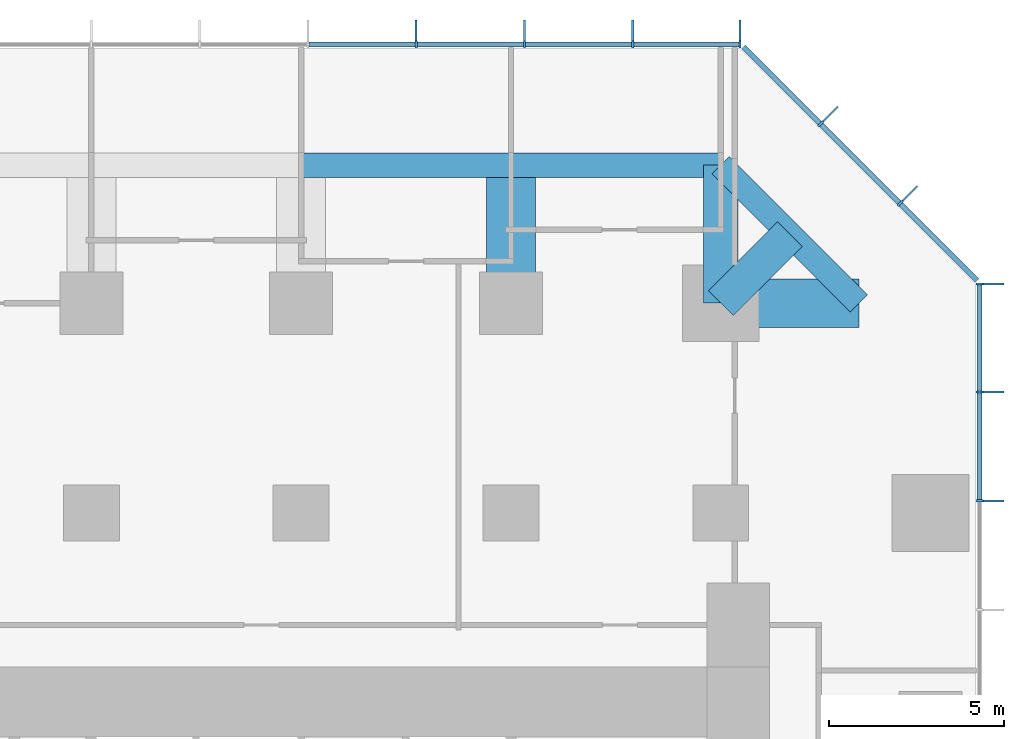
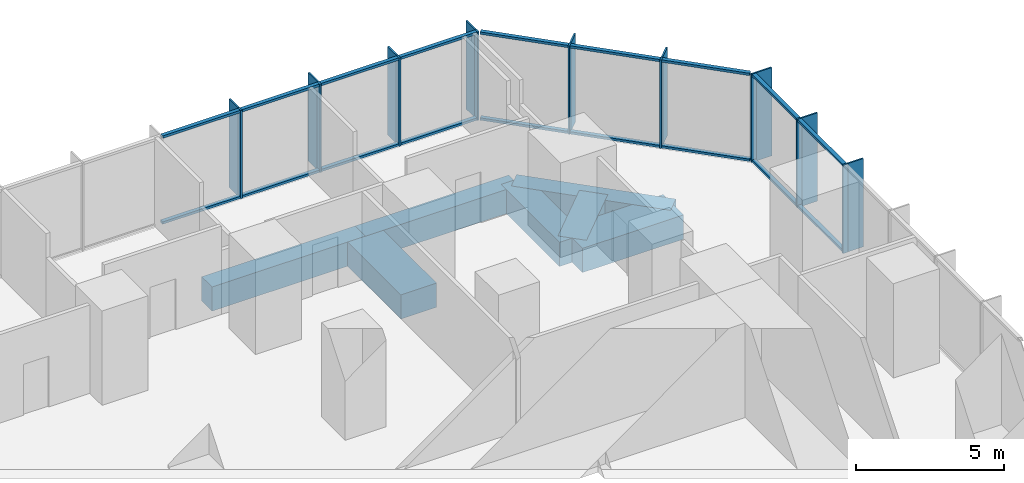
# One storey, part 6 of 11: 36 members, 7 beams, 3 elements without a shape of their own.
"""IFC4 building model written with IfcOpenShell, lengths in metres."""

from ifc_helpers import new_model, si_unit, direction, frame, origin, origin_2d, place, context, subcontext, project, spatial, rectangle, extrude, material, layer, layer_set, material_profile, profile_set, type_object, element, aggregate, save


model = new_model("IFC4")

# Units and contexts
model_context = context("Model", 3, precision=1e-05, world=origin(), true_north=direction((0.0, 1.0)))
body_context = subcontext(model_context, "Body", "Model", "MODEL_VIEW")
ifc_project = project(units=[si_unit("LENGTHUNIT", "METRE"), si_unit("AREAUNIT", "SQUARE_METRE"), si_unit("VOLUMEUNIT", "CUBIC_METRE"), si_unit("PLANEANGLEUNIT", "RADIAN"), si_unit("MASSUNIT", "GRAM", prefix="KILO")], contexts=[model_context])

# Site, building, storey
site_placement = place(None, origin())
site = spatial("IfcSite", under=ifc_project, at=site_placement, CompositionType="ELEMENT")
building_placement = place(site_placement, origin())
building = spatial("IfcBuilding", under=site, at=building_placement, Name="Highveld Stack Headquarters", CompositionType="ELEMENT")
storey_placement = place(building_placement, frame((0.0, 0.0, 93.800048828125)))
storey = spatial("IfcBuildingStorey", under=building, at=storey_placement, Name="L22", CompositionType="ELEMENT", Elevation=93.800048828125)

# Beams
ifc_material_1 = material(Name="Concrete C60/75", Category="concrete")
ifc_material_profile_1 = material_profile(ifc_material_1, rectangle(XDim=1.0, YDim=1.0, at=origin_2d()), Name="RC 1000x1000")
ifc_profile_set_1 = profile_set([ifc_material_profile_1], Name="Concrete C60/75")
beam_type_1 = type_object("IfcBeamType", Name="CANTILEVER RIB RC 1000x1000", PredefinedType="USERDEFINED", material=ifc_profile_set_1)
beam_1_placement = place(storey_placement, frame((18.0, 24.0, -0.75), z_axis=(0.0, 1.0, 0.0), x_axis=(-1.0, 0.0, 0.0)))
element("IfcBeam", 1, at=beam_1_placement, inside=storey, type_object=beam_type_1, Name="Cantilever rib 9/J L22", ObjectType="CANTILEVER RIB", PredefinedType="USERDEFINED", context=body_context, shape_type="SweptSolid", body=[
    extrude(rectangle(XDim=1.0, YDim=1.0, at=origin_2d()), origin(), (0.0, 0.0, 1.0), 3.949951171875),
])
beam_2_placement = place(storey_placement, frame((18.0, 24.0, -0.75), z_axis=(0.707106781187, 0.707106781187, 0.0), x_axis=(-0.707106781187, 0.707106781187, 0.0)))
element("IfcBeam", 2, at=beam_2_placement, inside=storey, type_object=beam_type_1, Name="Cantilever rib 9/J L22", ObjectType="CANTILEVER RIB", PredefinedType="USERDEFINED", context=body_context, shape_type="SweptSolid", body=[
    extrude(rectangle(XDim=1.0, YDim=1.0, at=origin_2d()), origin(), (0.0, 0.0, 1.0), 2.793212890625),
])
ifc_material_2 = material(Name="Concrete C60/75", Category="concrete")
ifc_material_profile_2 = material_profile(ifc_material_2, rectangle(XDim=1.39990234375, YDim=1.0, at=origin_2d()), Name="RC 1400x1000")
ifc_profile_set_2 = profile_set([ifc_material_profile_2], Name="Concrete C60/75")
beam_type_2 = type_object("IfcBeamType", Name="CANTILEVER RIB RC 1400x1000", PredefinedType="USERDEFINED", material=ifc_profile_set_2)
for number, where, z_axis, x_axis, name in (
    (3, (12.0, 24.0, -0.75), (0.0, 1.0, 0.0), (-1.0, 0.0, 0.0), "Cantilever rib 8/J L22"),
    (4, (18.0, 24.0, -0.75), (1.0, 0.0, 0.0), (0.0, 1.0, 0.0), "Cantilever rib 9/J L22"),
):
    element("IfcBeam", number, at=place(storey_placement, frame(where, z_axis=z_axis, x_axis=x_axis)), inside=storey, type_object=beam_type_2, Name=name, ObjectType="CANTILEVER RIB", PredefinedType="USERDEFINED", context=body_context, shape_type="SweptSolid", body=[
        extrude(rectangle(XDim=1.39990234375, YDim=1.0, at=origin_2d()), origin(), (0.0, 0.0, 1.0), 3.949951171875),
    ])

# Curtain wall, members
ifc_material_3 = material(Name="Aluminium bronze anodised", Category="aluminium")
ifc_layer = layer(ifc_material_3, 0.199951171875)
ifc_layer_set = layer_set([ifc_layer], Name="Aluminium bronze anodised")
curtain_wall_type = type_object("IfcCurtainWallType", Name="CW6 SKY LOBBY UNITISED CURTAIN WALL", PredefinedType="NOTDEFINED", material=ifc_layer_set)
curtain_wall_1_placement = place(storey_placement, origin())
curtain_wall_1 = element("IfcCurtainWall", 5, at=curtain_wall_1_placement, inside=storey, type_object=curtain_wall_type, Name="Curtain wall CW6 L22 E", PredefinedType="NOTDEFINED")
ifc_material_4 = material(Name="Aluminium bronze anodised", Category="aluminium")
ifc_material_profile_3 = material_profile(ifc_material_4, rectangle(XDim=0.60009765625, YDim=0.06005859375, at=origin_2d()), Name="FIN 600x60")
ifc_profile_set_3 = profile_set([ifc_material_profile_3], Name="Aluminium bronze anodised")
member_type_1 = type_object("IfcMemberType", Name="CW6 BRONZE FIN 600x60", PredefinedType="USERDEFINED", material=ifc_profile_set_3)
member_1_placement = place(storey_placement, frame((25.800048828125, 18.347900390625, 0.0), z_axis=(0.0, 0.0, 1.0), x_axis=(-1.0, 0.0, 0.0)))
member_1 = element("IfcMember", 6, at=member_1_placement, type_object=member_type_1, Name="CW6 fin L22 9", ObjectType="FIN", PredefinedType="USERDEFINED", context=body_context, shape_type="SweptSolid", body=[
    extrude(rectangle(XDim=0.60009765625, YDim=0.06005859375, at=origin_2d()), origin(), (0.0, 0.0, 1.0), 3.64990234375),
])
member_2_placement = place(storey_placement, frame((25.800048828125, 21.4638671875, 0.0), z_axis=(0.0, 0.0, 1.0), x_axis=(-1.0, 0.0, 0.0)))
member_2 = element("IfcMember", 7, at=member_2_placement, type_object=member_type_1, Name="CW6 fin L22 10", ObjectType="FIN", PredefinedType="USERDEFINED", context=body_context, shape_type="SweptSolid", body=[
    extrude(rectangle(XDim=0.60009765625, YDim=0.06005859375, at=origin_2d()), origin(), (0.0, 0.0, 1.0), 3.64990234375),
])
member_3_placement = place(storey_placement, frame((25.800048828125, 24.54736328125, 0.0), z_axis=(0.0, 0.0, 1.0), x_axis=(-1.0, 0.0, 0.0)))
member_3 = element("IfcMember", 8, at=member_3_placement, type_object=member_type_1, Name="CW6 fin L22 11", ObjectType="FIN", PredefinedType="USERDEFINED", context=body_context, shape_type="SweptSolid", body=[
    extrude(rectangle(XDim=0.60009765625, YDim=0.06005859375, at=origin_2d()), origin(), (0.0, 0.0, 1.0), 3.64990234375),
])

curtain_wall_2_placement = place(storey_placement, origin())
curtain_wall_2 = element("IfcCurtainWall", 9, at=curtain_wall_2_placement, inside=storey, type_object=curtain_wall_type, Name="Curtain wall CW6 L22 NE", PredefinedType="NOTDEFINED")
member_4_placement = place(storey_placement, frame((23.409423828125, 27.135986328125, 0.0), z_axis=(0.0, 0.0, 1.0), x_axis=(-0.707106781187, -0.707106781187, 0.0)))
member_4 = element("IfcMember", 10, at=member_4_placement, type_object=member_type_1, Name="CW6 fin L22 1", ObjectType="FIN", PredefinedType="USERDEFINED", context=body_context, shape_type="SweptSolid", body=[
    extrude(rectangle(XDim=0.60009765625, YDim=0.06005859375, at=origin_2d()), origin(), (0.0, 0.0, 1.0), 3.64990234375),
])
member_5_placement = place(storey_placement, frame((21.135986328125, 29.409423828125, 0.0), z_axis=(0.0, 0.0, 1.0), x_axis=(-0.707106781187, -0.707106781187, 0.0)))
member_5 = element("IfcMember", 11, at=member_5_placement, type_object=member_type_1, Name="CW6 fin L22 2", ObjectType="FIN", PredefinedType="USERDEFINED", context=body_context, shape_type="SweptSolid", body=[
    extrude(rectangle(XDim=0.60009765625, YDim=0.06005859375, at=origin_2d()), origin(), (0.0, 0.0, 1.0), 3.64990234375),
])

curtain_wall_3_placement = place(storey_placement, origin())
curtain_wall_3 = element("IfcCurtainWall", 12, at=curtain_wall_3_placement, inside=storey, type_object=curtain_wall_type, Name="Curtain wall CW6 L22 N", PredefinedType="NOTDEFINED")
member_6_placement = place(storey_placement, frame((18.54736328125, 31.800048828125, 0.0), z_axis=(0.0, 0.0, 1.0), x_axis=(0.0, -1.0, 0.0)))
member_6 = element("IfcMember", 13, at=member_6_placement, type_object=member_type_1, Name="CW6 fin L22 1", ObjectType="FIN", PredefinedType="USERDEFINED", context=body_context, shape_type="SweptSolid", body=[
    extrude(rectangle(XDim=0.60009765625, YDim=0.06005859375, at=origin_2d()), origin(), (0.0, 0.0, 1.0), 3.64990234375),
])
member_7_placement = place(storey_placement, frame((15.483154296875, 31.800048828125, 0.0), z_axis=(0.0, 0.0, 1.0), x_axis=(0.0, -1.0, 0.0)))
member_7 = element("IfcMember", 14, at=member_7_placement, type_object=member_type_1, Name="CW6 fin L22 2", ObjectType="FIN", PredefinedType="USERDEFINED", context=body_context, shape_type="SweptSolid", body=[
    extrude(rectangle(XDim=0.60009765625, YDim=0.06005859375, at=origin_2d()), origin(), (0.0, 0.0, 1.0), 3.64990234375),
])
member_8_placement = place(storey_placement, frame((12.38671875, 31.800048828125, 0.0), z_axis=(0.0, 0.0, 1.0), x_axis=(0.0, -1.0, 0.0)))
member_8 = element("IfcMember", 15, at=member_8_placement, type_object=member_type_1, Name="CW6 fin L22 3", ObjectType="FIN", PredefinedType="USERDEFINED", context=body_context, shape_type="SweptSolid", body=[
    extrude(rectangle(XDim=0.60009765625, YDim=0.06005859375, at=origin_2d()), origin(), (0.0, 0.0, 1.0), 3.64990234375),
])
member_9_placement = place(storey_placement, frame((9.289794921875, 31.800048828125, 0.0), z_axis=(0.0, 0.0, 1.0), x_axis=(0.0, -1.0, 0.0)))
member_9 = element("IfcMember", 16, at=member_9_placement, type_object=member_type_1, Name="CW6 fin L22 4", ObjectType="FIN", PredefinedType="USERDEFINED", context=body_context, shape_type="SweptSolid", body=[
    extrude(rectangle(XDim=0.60009765625, YDim=0.06005859375, at=origin_2d()), origin(), (0.0, 0.0, 1.0), 3.64990234375),
])

# Member
ifc_material_5 = material(Name="Aluminium bronze anodised", Category="aluminium")
ifc_material_profile_4 = material_profile(ifc_material_5, rectangle(XDim=0.199951171875, YDim=0.06494140625, at=origin_2d()), Name="CW6 MULLION 65x200")
ifc_profile_set_4 = profile_set([ifc_material_profile_4], Name="Aluminium bronze anodised")
member_type_2 = type_object("IfcMemberType", Name="CW6 MULLION 65x200", PredefinedType="MULLION", material=ifc_profile_set_4)
member_10_placement = place(storey_placement, frame((25.39990234375, 18.347900390625, 0.0), z_axis=(0.0, 0.0, 1.0), x_axis=(-1.0, 0.0, 0.0)))
member_10 = element("IfcMember", 17, at=member_10_placement, type_object=member_type_2, Name="CW6 mullion L22 9", PredefinedType="MULLION", context=body_context, shape_type="SweptSolid", body=[
    extrude(rectangle(XDim=0.199951171875, YDim=0.06494140625, at=origin_2d()), origin(), (0.0, 0.0, 1.0), 3.64990234375),
])

member_11_placement = place(storey_placement, frame((25.39990234375, 21.4638671875, 0.0), z_axis=(0.0, 0.0, 1.0), x_axis=(-1.0, 0.0, 0.0)))
member_11 = element("IfcMember", 18, at=member_11_placement, type_object=member_type_2, Name="CW6 mullion L22 10", PredefinedType="MULLION", context=body_context, shape_type="SweptSolid", body=[
    extrude(rectangle(XDim=0.199951171875, YDim=0.06494140625, at=origin_2d()), origin(), (0.0, 0.0, 1.0), 3.64990234375),
])

member_12_placement = place(storey_placement, frame((25.39990234375, 24.54736328125, 0.0), z_axis=(0.0, 0.0, 1.0), x_axis=(-1.0, 0.0, 0.0)))
member_12 = element("IfcMember", 19, at=member_12_placement, type_object=member_type_2, Name="CW6 mullion L22 11", PredefinedType="MULLION", context=body_context, shape_type="SweptSolid", body=[
    extrude(rectangle(XDim=0.199951171875, YDim=0.06494140625, at=origin_2d()), origin(), (0.0, 0.0, 1.0), 3.64990234375),
])

member_13_placement = place(storey_placement, frame((23.126708984375, 26.853271484375, 0.0), z_axis=(0.0, 0.0, 1.0), x_axis=(-0.707106781187, -0.707106781187, 0.0)))
member_13 = element("IfcMember", 20, at=member_13_placement, type_object=member_type_2, Name="CW6 mullion L22 1", PredefinedType="MULLION", context=body_context, shape_type="SweptSolid", body=[
    extrude(rectangle(XDim=0.199951171875, YDim=0.06494140625, at=origin_2d()), origin(), (0.0, 0.0, 1.0), 3.64990234375),
])

member_14_placement = place(storey_placement, frame((20.853271484375, 29.126708984375, 0.0), z_axis=(0.0, 0.0, 1.0), x_axis=(-0.707106781187, -0.707106781187, 0.0)))
member_14 = element("IfcMember", 21, at=member_14_placement, type_object=member_type_2, Name="CW6 mullion L22 2", PredefinedType="MULLION", context=body_context, shape_type="SweptSolid", body=[
    extrude(rectangle(XDim=0.199951171875, YDim=0.06494140625, at=origin_2d()), origin(), (0.0, 0.0, 1.0), 3.64990234375),
])

member_15_placement = place(storey_placement, frame((18.54736328125, 31.39990234375, 0.0), z_axis=(0.0, 0.0, 1.0), x_axis=(0.0, -1.0, 0.0)))
member_15 = element("IfcMember", 22, at=member_15_placement, type_object=member_type_2, Name="CW6 mullion L22 1", PredefinedType="MULLION", context=body_context, shape_type="SweptSolid", body=[
    extrude(rectangle(XDim=0.199951171875, YDim=0.06494140625, at=origin_2d()), origin(), (0.0, 0.0, 1.0), 3.64990234375),
])

member_16_placement = place(storey_placement, frame((15.483154296875, 31.39990234375, 0.0), z_axis=(0.0, 0.0, 1.0), x_axis=(0.0, -1.0, 0.0)))
member_16 = element("IfcMember", 23, at=member_16_placement, type_object=member_type_2, Name="CW6 mullion L22 2", PredefinedType="MULLION", context=body_context, shape_type="SweptSolid", body=[
    extrude(rectangle(XDim=0.199951171875, YDim=0.06494140625, at=origin_2d()), origin(), (0.0, 0.0, 1.0), 3.64990234375),
])

member_17_placement = place(storey_placement, frame((12.38671875, 31.39990234375, 0.0), z_axis=(0.0, 0.0, 1.0), x_axis=(0.0, -1.0, 0.0)))
member_17 = element("IfcMember", 24, at=member_17_placement, type_object=member_type_2, Name="CW6 mullion L22 3", PredefinedType="MULLION", context=body_context, shape_type="SweptSolid", body=[
    extrude(rectangle(XDim=0.199951171875, YDim=0.06494140625, at=origin_2d()), origin(), (0.0, 0.0, 1.0), 3.64990234375),
])

member_18_placement = place(storey_placement, frame((9.289794921875, 31.39990234375, 0.0), z_axis=(0.0, 0.0, 1.0), x_axis=(0.0, -1.0, 0.0)))
member_18 = element("IfcMember", 25, at=member_18_placement, type_object=member_type_2, Name="CW6 mullion L22 4", PredefinedType="MULLION", context=body_context, shape_type="SweptSolid", body=[
    extrude(rectangle(XDim=0.199951171875, YDim=0.06494140625, at=origin_2d()), origin(), (0.0, 0.0, 1.0), 3.64990234375),
])

ifc_material_6 = material(Name="Aluminium bronze anodised", Category="aluminium")
ifc_material_profile_5 = material_profile(ifc_material_6, rectangle(XDim=0.14990234375, YDim=0.10009765625, at=origin_2d()), Name="CW6 TRANSOM 150x100")
ifc_profile_set_5 = profile_set([ifc_material_profile_5], Name="Aluminium bronze anodised")
member_type_3 = type_object("IfcMemberType", Name="CW6 STACK TRANSOM 150x100", PredefinedType="USERDEFINED", material=ifc_profile_set_5)
member_19_placement = place(storey_placement, frame((25.39990234375, 18.38037109375, 0.050048828125), z_axis=(0.0, 1.0, 0.0), x_axis=(-1.0, 0.0, 0.0)))
member_19 = element("IfcMember", 26, at=member_19_placement, type_object=member_type_3, Name="CW6 transom L22 9.1", ObjectType="TRANSOM", PredefinedType="USERDEFINED", context=body_context, shape_type="SweptSolid", body=[
    extrude(rectangle(XDim=0.14990234375, YDim=0.10009765625, at=origin_2d()), origin(), (0.0, 0.0, 1.0), 3.051025390625),
])

member_20_placement = place(storey_placement, frame((25.39990234375, 18.38037109375, 3.599853515625), z_axis=(0.0, 1.0, 0.0), x_axis=(-1.0, 0.0, 0.0)))
member_20 = element("IfcMember", 27, at=member_20_placement, type_object=member_type_3, Name="CW6 transom L22 9.2", ObjectType="TRANSOM", PredefinedType="USERDEFINED", context=body_context, shape_type="SweptSolid", body=[
    extrude(rectangle(XDim=0.14990234375, YDim=0.10009765625, at=origin_2d()), origin(), (0.0, 0.0, 1.0), 3.051025390625),
])

member_21_placement = place(storey_placement, frame((25.39990234375, 21.496337890625, 0.050048828125), z_axis=(0.0, 1.0, 0.0), x_axis=(-1.0, 0.0, 0.0)))
member_21 = element("IfcMember", 28, at=member_21_placement, type_object=member_type_3, Name="CW6 transom L22 10.1", ObjectType="TRANSOM", PredefinedType="USERDEFINED", context=body_context, shape_type="SweptSolid", body=[
    extrude(rectangle(XDim=0.14990234375, YDim=0.10009765625, at=origin_2d()), origin(), (0.0, 0.0, 1.0), 3.0185546875),
])

member_22_placement = place(storey_placement, frame((25.39990234375, 21.496337890625, 3.599853515625), z_axis=(0.0, 1.0, 0.0), x_axis=(-1.0, 0.0, 0.0)))
member_22 = element("IfcMember", 29, at=member_22_placement, type_object=member_type_3, Name="CW6 transom L22 10.2", ObjectType="TRANSOM", PredefinedType="USERDEFINED", context=body_context, shape_type="SweptSolid", body=[
    extrude(rectangle(XDim=0.14990234375, YDim=0.10009765625, at=origin_2d()), origin(), (0.0, 0.0, 1.0), 3.0185546875),
])

aggregate(curtain_wall_1, [member_10, member_1, member_11, member_2, member_12, member_3, member_19, member_20, member_21, member_22])

member_23_placement = place(storey_placement, frame((25.329345703125, 24.650634765625, 0.050048828125), z_axis=(-0.707106781187, 0.707106781187, 0.0), x_axis=(-0.707106781187, -0.707106781187, 0.0)))
member_23 = element("IfcMember", 30, at=member_23_placement, type_object=member_type_3, Name="CW6 transom L22 1.1", ObjectType="TRANSOM", PredefinedType="USERDEFINED", context=body_context, shape_type="SweptSolid", body=[
    extrude(rectangle(XDim=0.14990234375, YDim=0.10009765625, at=origin_2d()), origin(), (0.0, 0.0, 1.0), 3.08251953125),
])

member_24_placement = place(storey_placement, frame((25.329345703125, 24.650634765625, 3.599853515625), z_axis=(-0.707106781187, 0.707106781187, 0.0), x_axis=(-0.707106781187, -0.707106781187, 0.0)))
member_24 = element("IfcMember", 31, at=member_24_placement, type_object=member_type_3, Name="CW6 transom L22 1.2", ObjectType="TRANSOM", PredefinedType="USERDEFINED", context=body_context, shape_type="SweptSolid", body=[
    extrude(rectangle(XDim=0.14990234375, YDim=0.10009765625, at=origin_2d()), origin(), (0.0, 0.0, 1.0), 3.08251953125),
])

member_25_placement = place(storey_placement, frame((23.103759765625, 26.876220703125, 0.050048828125), z_axis=(-0.707106781187, 0.707106781187, 0.0), x_axis=(-0.707106781187, -0.707106781187, 0.0)))
member_25 = element("IfcMember", 32, at=member_25_placement, type_object=member_type_3, Name="CW6 transom L22 2.1", ObjectType="TRANSOM", PredefinedType="USERDEFINED", context=body_context, shape_type="SweptSolid", body=[
    extrude(rectangle(XDim=0.14990234375, YDim=0.10009765625, at=origin_2d()), origin(), (0.0, 0.0, 1.0), 3.150146484375),
])

member_26_placement = place(storey_placement, frame((23.103759765625, 26.876220703125, 3.599853515625), z_axis=(-0.707106781187, 0.707106781187, 0.0), x_axis=(-0.707106781187, -0.707106781187, 0.0)))
member_26 = element("IfcMember", 33, at=member_26_placement, type_object=member_type_3, Name="CW6 transom L22 2.2", ObjectType="TRANSOM", PredefinedType="USERDEFINED", context=body_context, shape_type="SweptSolid", body=[
    extrude(rectangle(XDim=0.14990234375, YDim=0.10009765625, at=origin_2d()), origin(), (0.0, 0.0, 1.0), 3.150146484375),
])

member_27_placement = place(storey_placement, frame((20.830322265625, 29.149658203125, 0.050048828125), z_axis=(-0.707106781187, 0.707106781187, 0.0), x_axis=(-0.707106781187, -0.707106781187, 0.0)))
member_27 = element("IfcMember", 34, at=member_27_placement, type_object=member_type_3, Name="CW6 transom L22 3.1", ObjectType="TRANSOM", PredefinedType="USERDEFINED", context=body_context, shape_type="SweptSolid", body=[
    extrude(rectangle(XDim=0.14990234375, YDim=0.10009765625, at=origin_2d()), origin(), (0.0, 0.0, 1.0), 3.08251953125),
])

member_28_placement = place(storey_placement, frame((20.830322265625, 29.149658203125, 3.599853515625), z_axis=(-0.707106781187, 0.707106781187, 0.0), x_axis=(-0.707106781187, -0.707106781187, 0.0)))
member_28 = element("IfcMember", 35, at=member_28_placement, type_object=member_type_3, Name="CW6 transom L22 3.2", ObjectType="TRANSOM", PredefinedType="USERDEFINED", context=body_context, shape_type="SweptSolid", body=[
    extrude(rectangle(XDim=0.14990234375, YDim=0.10009765625, at=origin_2d()), origin(), (0.0, 0.0, 1.0), 3.08251953125),
])

aggregate(curtain_wall_2, [member_13, member_4, member_14, member_5, member_23, member_24, member_25, member_26, member_27, member_28])

member_29_placement = place(storey_placement, frame((18.514892578125, 31.39990234375, 0.050048828125), z_axis=(-1.0, 0.0, 0.0), x_axis=(0.0, -1.0, 0.0)))
member_29 = element("IfcMember", 36, at=member_29_placement, type_object=member_type_3, Name="CW6 transom L22 1.1", ObjectType="TRANSOM", PredefinedType="USERDEFINED", context=body_context, shape_type="SweptSolid", body=[
    extrude(rectangle(XDim=0.14990234375, YDim=0.10009765625, at=origin_2d()), origin(), (0.0, 0.0, 1.0), 2.999267578125),
])

member_30_placement = place(storey_placement, frame((18.514892578125, 31.39990234375, 3.599853515625), z_axis=(-1.0, 0.0, 0.0), x_axis=(0.0, -1.0, 0.0)))
member_30 = element("IfcMember", 37, at=member_30_placement, type_object=member_type_3, Name="CW6 transom L22 1.2", ObjectType="TRANSOM", PredefinedType="USERDEFINED", context=body_context, shape_type="SweptSolid", body=[
    extrude(rectangle(XDim=0.14990234375, YDim=0.10009765625, at=origin_2d()), origin(), (0.0, 0.0, 1.0), 2.999267578125),
])

member_31_placement = place(storey_placement, frame((15.45068359375, 31.39990234375, 0.050048828125), z_axis=(-1.0, 0.0, 0.0), x_axis=(0.0, -1.0, 0.0)))
member_31 = element("IfcMember", 38, at=member_31_placement, type_object=member_type_3, Name="CW6 transom L22 2.1", ObjectType="TRANSOM", PredefinedType="USERDEFINED", context=body_context, shape_type="SweptSolid", body=[
    extrude(rectangle(XDim=0.14990234375, YDim=0.10009765625, at=origin_2d()), origin(), (0.0, 0.0, 1.0), 3.031494140625),
])

member_32_placement = place(storey_placement, frame((15.45068359375, 31.39990234375, 3.599853515625), z_axis=(-1.0, 0.0, 0.0), x_axis=(0.0, -1.0, 0.0)))
member_32 = element("IfcMember", 39, at=member_32_placement, type_object=member_type_3, Name="CW6 transom L22 2.2", ObjectType="TRANSOM", PredefinedType="USERDEFINED", context=body_context, shape_type="SweptSolid", body=[
    extrude(rectangle(XDim=0.14990234375, YDim=0.10009765625, at=origin_2d()), origin(), (0.0, 0.0, 1.0), 3.031494140625),
])

member_33_placement = place(storey_placement, frame((12.35400390625, 31.39990234375, 0.050048828125), z_axis=(-1.0, 0.0, 0.0), x_axis=(0.0, -1.0, 0.0)))
member_33 = element("IfcMember", 40, at=member_33_placement, type_object=member_type_3, Name="CW6 transom L22 3.1", ObjectType="TRANSOM", PredefinedType="USERDEFINED", context=body_context, shape_type="SweptSolid", body=[
    extrude(rectangle(XDim=0.14990234375, YDim=0.10009765625, at=origin_2d()), origin(), (0.0, 0.0, 1.0), 3.031494140625),
])

member_34_placement = place(storey_placement, frame((12.35400390625, 31.39990234375, 3.599853515625), z_axis=(-1.0, 0.0, 0.0), x_axis=(0.0, -1.0, 0.0)))
member_34 = element("IfcMember", 41, at=member_34_placement, type_object=member_type_3, Name="CW6 transom L22 3.2", ObjectType="TRANSOM", PredefinedType="USERDEFINED", context=body_context, shape_type="SweptSolid", body=[
    extrude(rectangle(XDim=0.14990234375, YDim=0.10009765625, at=origin_2d()), origin(), (0.0, 0.0, 1.0), 3.031494140625),
])

member_35_placement = place(storey_placement, frame((9.25732421875, 31.39990234375, 0.050048828125), z_axis=(-1.0, 0.0, 0.0), x_axis=(0.0, -1.0, 0.0)))
member_35 = element("IfcMember", 42, at=member_35_placement, type_object=member_type_3, Name="CW6 transom L22 4.1", ObjectType="TRANSOM", PredefinedType="USERDEFINED", context=body_context, shape_type="SweptSolid", body=[
    extrude(rectangle(XDim=0.14990234375, YDim=0.10009765625, at=origin_2d()), origin(), (0.0, 0.0, 1.0), 3.031494140625),
])

member_36_placement = place(storey_placement, frame((9.25732421875, 31.39990234375, 3.599853515625), z_axis=(-1.0, 0.0, 0.0), x_axis=(0.0, -1.0, 0.0)))
member_36 = element("IfcMember", 43, at=member_36_placement, type_object=member_type_3, Name="CW6 transom L22 4.2", ObjectType="TRANSOM", PredefinedType="USERDEFINED", context=body_context, shape_type="SweptSolid", body=[
    extrude(rectangle(XDim=0.14990234375, YDim=0.10009765625, at=origin_2d()), origin(), (0.0, 0.0, 1.0), 3.031494140625),
])

aggregate(curtain_wall_3, [member_15, member_6, member_16, member_7, member_17, member_8, member_18, member_9, member_29, member_30, member_31, member_32, member_33, member_34, member_35, member_36])

# Beams
ifc_material_7 = material(Name="Concrete C60/75", Category="concrete")
ifc_material_profile_6 = material_profile(ifc_material_7, rectangle(XDim=0.699951171875, YDim=1.0, at=origin_2d()), Name="RC 700x1000")
ifc_profile_set_6 = profile_set([ifc_material_profile_6], Name="Concrete C60/75")
beam_type_3 = type_object("IfcBeamType", Name="RIB TIP BEAM RC 700x1000", PredefinedType="SPANDREL", material=ifc_profile_set_6)
for number, where, z_axis, x_axis, name in (
    (44, (6.0, 27.949951171875, -0.75), (1.0, 0.0, 0.0), (0.0, 1.0, 0.0), "Rib tip beam 7/J to 8/J L22"),
    (45, (12.0, 27.949951171875, -0.75), (1.0, 0.0, 0.0), (0.0, 1.0, 0.0), "Rib tip beam 8/J to 9/J L22"),
):
    element("IfcBeam", number, at=place(storey_placement, frame(where, z_axis=z_axis, x_axis=x_axis)), inside=storey, type_object=beam_type_3, Name=name, PredefinedType="SPANDREL", context=body_context, shape_type="SweptSolid", body=[
        extrude(rectangle(XDim=0.699951171875, YDim=1.0, at=origin_2d()), origin(), (0.0, 0.0, 1.0), 6.0),
    ])
beam_3_placement = place(storey_placement, frame((21.949951171875, 24.0, -0.75), z_axis=(-0.707106781187, 0.707106781187, 0.0), x_axis=(-0.707106781187, -0.707106781187, 0.0)))
element("IfcBeam", 46, at=beam_3_placement, inside=storey, type_object=beam_type_3, Name="Rib tip beam 9/J corner L22", PredefinedType="SPANDREL", context=body_context, shape_type="SweptSolid", body=[
    extrude(rectangle(XDim=0.699951171875, YDim=1.0, at=origin_2d()), origin(), (0.0, 0.0, 1.0), 5.586181640625),
])

save(model, "model.ifc")
